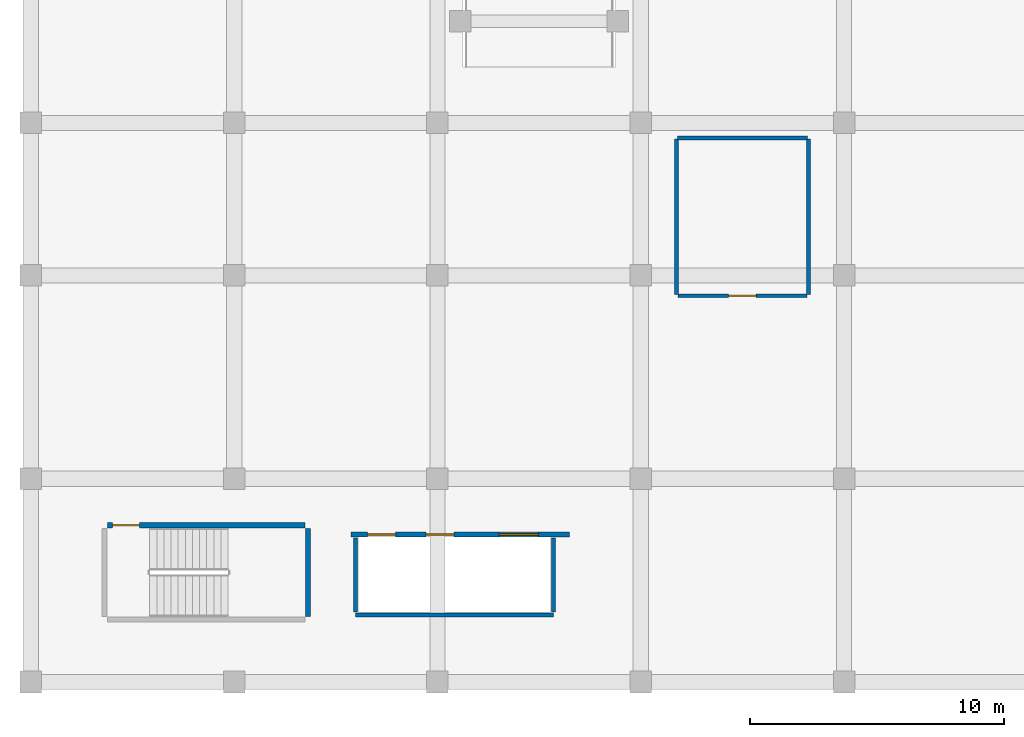
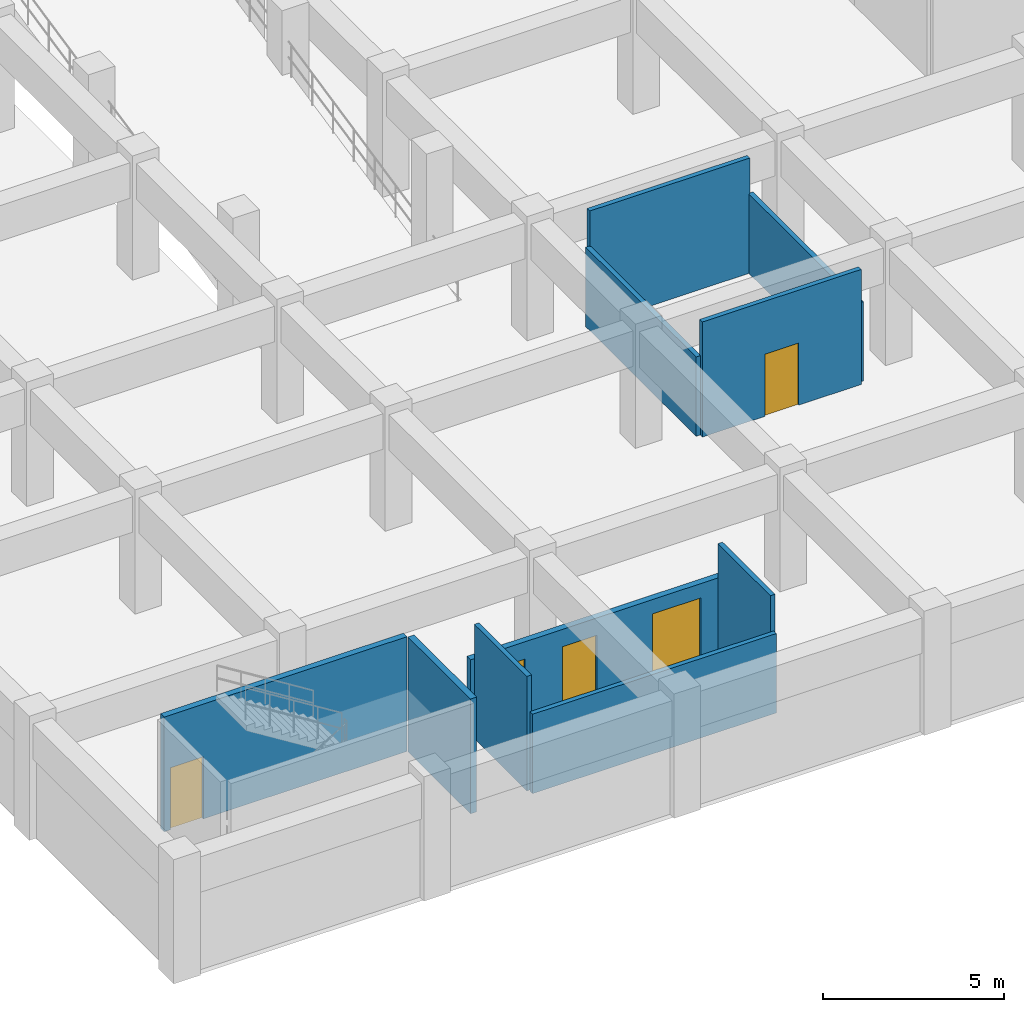
# One storey, part 9 of 20: 10 walls, 5 doors, 5 openings.
"""IFC4 building model written with IfcOpenShell, lengths in metres."""

from ifc_helpers import new_model, si_unit, direction, frame, frame_2d, origin, place, context, subcontext, project, spatial, rectangle, extrude, material, layer, layer_set, type_object, element, fill, save


model = new_model("IFC4")

# Units and contexts
model_context = context("Model", 3, precision=1e-05, world=origin(), true_north=direction((0.0, 1.0)))
body_context = subcontext(model_context, "Body", "Model", "MODEL_VIEW")
ifc_project = project(units=[si_unit("LENGTHUNIT", "METRE"), si_unit("AREAUNIT", "SQUARE_METRE"), si_unit("VOLUMEUNIT", "CUBIC_METRE"), si_unit("PLANEANGLEUNIT", "RADIAN"), si_unit("MASSUNIT", "GRAM", prefix="KILO")], contexts=[model_context])

# Site, building, storey
site_placement = place(None, origin())
site = spatial("IfcSite", under=ifc_project, at=site_placement, CompositionType="ELEMENT")
building_placement = place(site_placement, origin())
building = spatial("IfcBuilding", under=site, at=building_placement, Name="Kelanora Arch Commons", CompositionType="ELEMENT")
storey_placement = place(building_placement, frame((0.0, 0.0, -4.199951171875)))
storey = spatial("IfcBuildingStorey", under=building, at=storey_placement, Name="B01", CompositionType="ELEMENT", Elevation=-4.199951171875)

# Walls
ifc_material_1 = material(Name="Autoclaved aerated concrete blockwork with fire plaster", Category="masonry")
ifc_layer_1 = layer(ifc_material_1, 0.14990234375)
ifc_layer_set_1 = layer_set([ifc_layer_1], Name="Autoclaved aerated concrete blockwork with fire plaster")
wall_type_1 = type_object("IfcWallType", Name="W-COMP-150", PredefinedType="PARTITIONING", material=ifc_layer_set_1)
wall_1_placement = place(storey_placement, frame((16.780029296875, 6.639892578125, 0.0), z_axis=(0.0, 0.0, 1.0), x_axis=(1.0, 0.0, 0.0)))
element("IfcWall", 1, at=wall_1_placement, inside=storey, type_object=wall_type_1, Name="Market South Lift Bank Back Wall B01", PredefinedType="PARTITIONING", context=body_context, shape_type="SweptSolid", body=[
    extrude(rectangle(XDim=7.7900390625, YDim=0.14990234375, at=frame_2d((3.89501953125, 0.0))), origin(), (0.0, 0.0, 1.0), 2.68505859375),
])
for number, where, z_axis, x_axis, name in (
    (2, (16.780029296875, 6.760009765625, 0.0), (0.0, 0.0, 1.0), (0.0, 1.0, 0.0), "Market South Lift Bank West Wall B01"),
    (3, (24.570068359375, 6.760009765625, 0.0), (0.0, 0.0, 1.0), (0.0, 1.0, 0.0), "Market South Lift Bank East Wall B01"),
):
    element("IfcWall", number, at=place(storey_placement, frame(where, z_axis=z_axis, x_axis=x_axis)), inside=storey, type_object=wall_type_1, Name=name, PredefinedType="PARTITIONING", context=body_context, shape_type="SweptSolid", body=[
        extrude(rectangle(XDim=2.909912109375, YDim=0.14990234375, at=frame_2d((1.455078125, 0.0))), origin(), (0.0, 0.0, 1.0), 3.869873046875),
    ])

# Wall, opening, door
wall_2_placement = place(storey_placement, frame((29.4599609375, 19.199951171875, 0.0), z_axis=(0.0, 0.0, 1.0), x_axis=(1.0, 0.0, 0.0)))
wall_2 = element("IfcWall", 4, at=wall_2_placement, inside=storey, type_object=wall_type_1, Name="Secure Student Cycle Store B01 Entry Partition", PredefinedType="PARTITIONING", context=body_context, shape_type="SweptSolid", body=[
    extrude(rectangle(XDim=5.080078125, YDim=0.14990234375, at=frame_2d((2.5400390625, 0.0))), origin(), (0.0, 0.0, 1.0), 3.889892578125),
])
opening_1_placement = place(wall_2_placement, frame((2.0, 0.0, 0.0)))
opening_1 = element("IfcOpeningElement", 5, at=opening_1_placement, cuts=wall_2, Name="Opening D-PLT1", PredefinedType="OPENING", context=body_context, shape_type="SweptSolid", body=[
    extrude(rectangle(XDim=1.080078125, YDim=2.10009765625, at=frame_2d((0.5400390625, 1.050048828125))), frame((0.0, 0.0849609375, 0.0), z_axis=(0.0, -1.0, 0.0), x_axis=(1.0, 0.0, 0.0)), (0.0, 0.0, 1.0), 0.169921875),
])
ifc_material_2 = material(Name="Galvanised steel plant and riser fire door", Category="steel")
door_type_1 = type_object("IfcDoorType", Name="D-PLT-110", OperationType="NOTDEFINED", PredefinedType="DOOR", material=ifc_material_2)
door_1_placement = place(opening_1_placement, origin())
door_1 = element("IfcDoor", 6, at=door_1_placement, inside=storey, type_object=door_type_1, Name="Secure Student Cycle Store B01 Door", OperationType="SINGLE_SWING_LEFT", OverallHeight=2.10009765625, OverallWidth=1.080078125, PredefinedType="DOOR", context=body_context, shape_type="SweptSolid", body=[
    extrude(rectangle(XDim=1.080078125, YDim=2.10009765625, at=frame_2d((0.5400390625, 1.050048828125))), frame((0.0, 0.02490234375, 0.0), z_axis=(0.0, -1.0, 0.0), x_axis=(1.0, 0.0, 0.0)), (0.0, 0.0, 1.0), 0.050048828125),
])
fill(opening_1, door_1)

# Walls
wall_3_placement = place(storey_placement, frame((34.60009765625, 19.239990234375, 0.0), z_axis=(0.0, 0.0, 1.0), x_axis=(0.0, 1.0, 0.0)))
element("IfcWall", 7, at=wall_3_placement, inside=storey, type_object=wall_type_1, Name="Secure Student Cycle Store B01 Enclosure Partition 2", PredefinedType="PARTITIONING", context=body_context, shape_type="SweptSolid", body=[
    extrude(rectangle(XDim=6.1201171875, YDim=0.14990234375, at=frame_2d((3.06005859375, 0.0))), origin(), (0.0, 0.0, 1.0), 2.68505859375),
])
wall_4_placement = place(storey_placement, frame((34.56005859375, 25.39990234375, 0.0), z_axis=(0.0, 0.0, 1.0), x_axis=(-1.0, 0.0, 0.0)))
element("IfcWall", 8, at=wall_4_placement, inside=storey, type_object=wall_type_1, Name="Secure Student Cycle Store B01 Enclosure Partition 3", PredefinedType="PARTITIONING", context=body_context, shape_type="SweptSolid", body=[
    extrude(rectangle(XDim=5.1201171875, YDim=0.14990234375, at=frame_2d((2.56005859375, 0.0))), origin(), (0.0, 0.0, 1.0), 3.889892578125),
])
wall_5_placement = place(storey_placement, frame((29.39990234375, 25.360107421875, 0.0), z_axis=(0.0, 0.0, 1.0), x_axis=(0.0, -1.0, 0.0)))
element("IfcWall", 9, at=wall_5_placement, inside=storey, type_object=wall_type_1, Name="Secure Student Cycle Store B01 Enclosure Partition 4", PredefinedType="PARTITIONING", context=body_context, shape_type="SweptSolid", body=[
    extrude(rectangle(XDim=6.1201171875, YDim=0.14990234375, at=frame_2d((3.06005859375, 0.0))), origin(), (0.0, 0.0, 1.0), 2.68505859375),
])

# Wall, openings, doors
ifc_material_3 = material(Name="Concrete C40/50", Category="concrete")
ifc_layer_2 = layer(ifc_material_3, 0.199951171875)
ifc_layer_set_2 = layer_set([ifc_layer_2], Name="Concrete C40/50")
wall_type_2 = type_object("IfcWallType", Name="W-FFL-200", PredefinedType="SOLIDWALL", material=ifc_layer_set_2)
wall_6_placement = place(storey_placement, frame((16.60009765625, 9.800048828125, 0.0), z_axis=(0.0, 0.0, 1.0), x_axis=(1.0, 0.0, 0.0)))
wall_6 = element("IfcWall", 10, at=wall_6_placement, inside=storey, type_object=wall_type_2, Name="Market South Lift Shaft Front B01", PredefinedType="SOLIDWALL", context=body_context, shape_type="SweptSolid", body=[
    extrude(rectangle(XDim=8.599853515625, YDim=0.199951171875, at=frame_2d((4.2998046875, 0.0))), origin(), (0.0, 0.0, 1.0), 2.68505859375),
])
opening_2_placement = place(wall_6_placement, frame((0.64990234375, 0.0, 0.0)))
opening_2 = element("IfcOpeningElement", 11, at=opening_2_placement, cuts=wall_6, Name="Opening LD-01", PredefinedType="OPENING", context=body_context, shape_type="SweptSolid", body=[
    extrude(rectangle(XDim=1.10009765625, YDim=2.10009765625, at=frame_2d((0.550048828125, 1.050048828125))), frame((0.0, 0.10986328125, 0.0), z_axis=(0.0, -1.0, 0.0), x_axis=(1.0, 0.0, 0.0)), (0.0, 0.0, 1.0), 0.219970703125),
])
opening_3_placement = place(wall_6_placement, frame((2.949951171875, 0.0, 0.0)))
opening_3 = element("IfcOpeningElement", 12, at=opening_3_placement, cuts=wall_6, Name="Opening LD-01", PredefinedType="OPENING", context=body_context, shape_type="SweptSolid", body=[
    extrude(rectangle(XDim=1.10009765625, YDim=2.10009765625, at=frame_2d((0.550048828125, 1.050048828125))), frame((0.0, 0.10986328125, 0.0), z_axis=(0.0, -1.0, 0.0), x_axis=(1.0, 0.0, 0.0)), (0.0, 0.0, 1.0), 0.219970703125),
])
opening_4_placement = place(wall_6_placement, frame((5.824951171875, 0.0, 0.0)))
opening_4 = element("IfcOpeningElement", 13, at=opening_4_placement, cuts=wall_6, Name="Opening LD-GD", PredefinedType="OPENING", context=body_context, shape_type="SweptSolid", body=[
    extrude(rectangle(XDim=1.550048828125, YDim=2.199951171875, at=frame_2d((0.77490234375, 1.10009765625))), frame((0.0, 0.10986328125, 0.0), z_axis=(0.0, -1.0, 0.0), x_axis=(1.0, 0.0, 0.0)), (0.0, 0.0, 1.0), 0.219970703125),
])
ifc_material_4 = material(Name="Stainless steel passenger lift sliding landing door", Category="steel")
door_type_2 = type_object("IfcDoorType", Name="D-LIFT-110", OperationType="NOTDEFINED", PredefinedType="DOOR", material=ifc_material_4)
door_2_placement = place(opening_2_placement, origin())
door_2 = element("IfcDoor", 14, at=door_2_placement, inside=storey, type_object=door_type_2, Name="Market Lift LF-MP1 Landing Door B01", OperationType="DOUBLE_DOOR_SLIDING", OverallHeight=2.10009765625, OverallWidth=1.10009765625, PredefinedType="DOOR", context=body_context, shape_type="SweptSolid", body=[
    extrude(rectangle(XDim=1.10009765625, YDim=2.10009765625, at=frame_2d((0.550048828125, 1.050048828125))), frame((0.0, 0.02490234375, 0.0), z_axis=(0.0, -1.0, 0.0), x_axis=(1.0, 0.0, 0.0)), (0.0, 0.0, 1.0), 0.050048828125),
])
fill(opening_2, door_2)
door_3_placement = place(opening_3_placement, origin())
door_3 = element("IfcDoor", 15, at=door_3_placement, inside=storey, type_object=door_type_2, Name="Market Lift LF-MP2 Landing Door B01", OperationType="DOUBLE_DOOR_SLIDING", OverallHeight=2.10009765625, OverallWidth=1.10009765625, PredefinedType="DOOR", context=body_context, shape_type="SweptSolid", body=[
    extrude(rectangle(XDim=1.10009765625, YDim=2.10009765625, at=frame_2d((0.550048828125, 1.050048828125))), frame((0.0, 0.02490234375, 0.0), z_axis=(0.0, -1.0, 0.0), x_axis=(1.0, 0.0, 0.0)), (0.0, 0.0, 1.0), 0.050048828125),
])
fill(opening_3, door_3)
ifc_material_5 = material(Name="Heavy-duty goods lift bi-parting sliding landing door")
door_type_3 = type_object("IfcDoorType", Name="D-LIFT-GDS", OperationType="NOTDEFINED", PredefinedType="DOOR", material=ifc_material_5)
door_4_placement = place(opening_4_placement, origin())
door_4 = element("IfcDoor", 16, at=door_4_placement, inside=storey, type_object=door_type_3, Name="Market Lift LF-MG1 Landing Door B01", OperationType="DOUBLE_DOOR_SLIDING", OverallHeight=2.199951171875, OverallWidth=1.550048828125, PredefinedType="DOOR", context=body_context, shape_type="SweptSolid", body=[
    extrude(rectangle(XDim=1.550048828125, YDim=2.199951171875, at=frame_2d((0.77490234375, 1.10009765625))), frame((0.0, 0.02490234375, 0.0), z_axis=(0.0, -1.0, 0.0), x_axis=(1.0, 0.0, 0.0)), (0.0, 0.0, 1.0), 0.050048828125),
])
fill(opening_4, door_4)

# Wall
ifc_layer_3 = layer(ifc_material_3, 0.199951171875)
ifc_layer_set_3 = layer_set([ifc_layer_3], Name="Concrete C40/50")
wall_type_3 = type_object("IfcWallType", Name="W-STAIR-200", PredefinedType="SHEAR", material=ifc_layer_set_3)
wall_7_placement = place(storey_placement, frame((14.89990234375, 6.580078125, 0.0), z_axis=(0.0, 0.0, 1.0), x_axis=(0.0, 1.0, 0.0)))
element("IfcWall", 17, at=wall_7_placement, inside=storey, type_object=wall_type_3, Name="Stair ST-M1 Shaft Wall E B01", PredefinedType="SHEAR", context=body_context, shape_type="SweptSolid", body=[
    extrude(rectangle(XDim=3.469970703125, YDim=0.199951171875, at=frame_2d((1.73486328125, 0.0))), origin(), (0.0, 0.0, 1.0), 3.8798828125),
])

# Wall, opening, door
wall_8_placement = place(storey_placement, frame((14.780029296875, 10.169921875, 0.0), z_axis=(0.0, 0.0, 1.0), x_axis=(-1.0, 0.0, 0.0)))
wall_8 = element("IfcWall", 18, at=wall_8_placement, inside=storey, type_object=wall_type_3, Name="Stair ST-M1 Shaft Wall N B01", PredefinedType="SHEAR", context=body_context, shape_type="SweptSolid", body=[
    extrude(rectangle(XDim=7.760009765625, YDim=0.199951171875, at=frame_2d((3.8798828125, 0.0))), origin(), (0.0, 0.0, 1.0), 3.8798828125),
])
opening_5_placement = place(wall_8_placement, frame((6.510009765625, 0.0, 0.0)))
opening_5 = element("IfcOpeningElement", 19, at=opening_5_placement, cuts=wall_8, Name="Opening D-ST1", PredefinedType="OPENING", context=body_context, shape_type="SweptSolid", body=[
    extrude(rectangle(XDim=1.050048828125, YDim=2.10009765625, at=frame_2d((0.52490234375, 1.050048828125))), frame((0.0, 0.10986328125, 0.0), z_axis=(0.0, -1.0, 0.0), x_axis=(1.0, 0.0, 0.0)), (0.0, 0.0, 1.0), 0.219970703125),
])
ifc_material_6 = material(Name="Steel fire-rated stairwell escape door", Category="steel")
door_type_4 = type_object("IfcDoorType", Name="D-STAIR-110", OperationType="NOTDEFINED", PredefinedType="DOOR", material=ifc_material_6)
door_5_placement = place(opening_5_placement, origin())
door_5 = element("IfcDoor", 20, at=door_5_placement, inside=storey, type_object=door_type_4, Name="Stair ST-M1 Escape Door B01", OperationType="SINGLE_SWING_RIGHT", OverallHeight=2.10009765625, OverallWidth=1.050048828125, PredefinedType="DOOR", context=body_context, shape_type="SweptSolid", body=[
    extrude(rectangle(XDim=1.050048828125, YDim=2.10009765625, at=frame_2d((0.52490234375, 1.050048828125))), frame((0.0, 0.02490234375, 0.0), z_axis=(0.0, -1.0, 0.0), x_axis=(1.0, 0.0, 0.0)), (0.0, 0.0, 1.0), 0.050048828125),
])
fill(opening_5, door_5)

save(model, "model.ifc")
